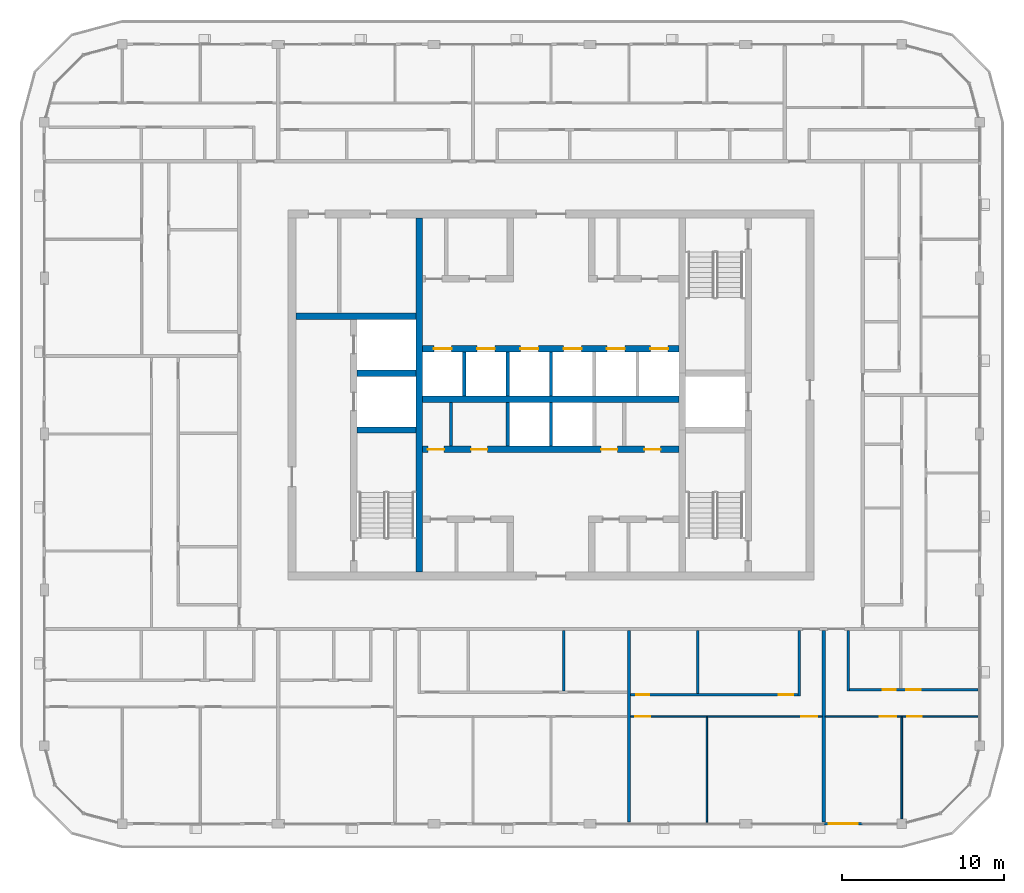
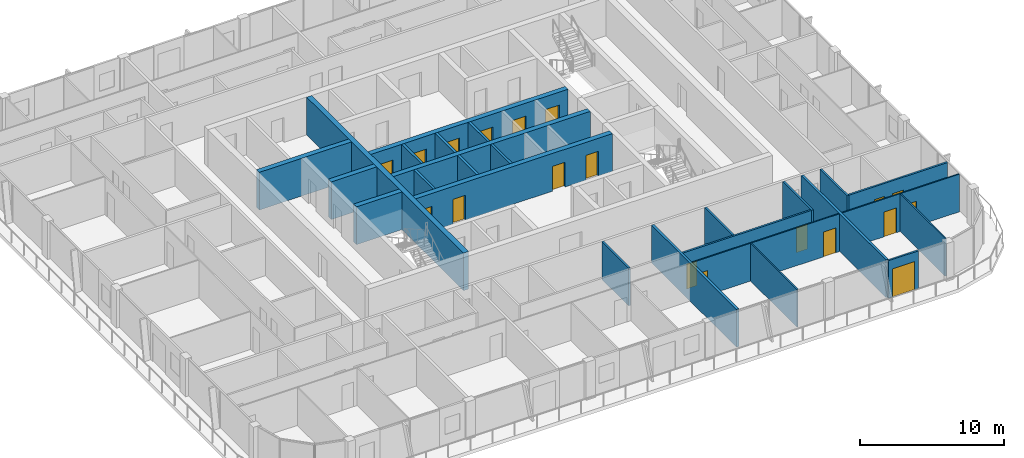
# One storey, part 11 of 22: 26 walls, 19 doors, 19 openings.
"""IFC4 building model written with IfcOpenShell, lengths in metres."""

from ifc_helpers import new_model, si_unit, direction, frame, frame_2d, origin, place, context, subcontext, project, spatial, rectangle, extrude, material, layer, layer_set, type_object, element, fill, save


model = new_model("IFC4")

# Units and contexts
model_context = context("Model", 3, precision=1e-05, world=origin(), true_north=direction((0.0, 1.0)))
body_context = subcontext(model_context, "Body", "Model", "MODEL_VIEW")
ifc_project = project(units=[si_unit("LENGTHUNIT", "METRE"), si_unit("AREAUNIT", "SQUARE_METRE"), si_unit("VOLUMEUNIT", "CUBIC_METRE"), si_unit("PLANEANGLEUNIT", "RADIAN"), si_unit("MASSUNIT", "GRAM", prefix="KILO")], contexts=[model_context])

# Site, building, storey
site_placement = place(None, origin())
site = spatial("IfcSite", under=ifc_project, at=site_placement, CompositionType="ELEMENT")
building_placement = place(site_placement, origin())
building = spatial("IfcBuilding", under=site, at=building_placement, Name="Madar Terraces", CompositionType="ELEMENT")
storey_placement = place(building_placement, frame((0.0, 0.0, 279.10009765625)))
storey = spatial("IfcBuildingStorey", under=building, at=storey_placement, Name="L73", CompositionType="ELEMENT", Elevation=279.10009765625)

# Walls
ifc_material_1 = material(Name="Concrete C50/60", Category="concrete")
ifc_layer_1 = layer(ifc_material_1, 0.39990234375)
ifc_layer_set_1 = layer_set([ifc_layer_1], Name="Concrete C50/60 (CIW6 RC wall 400)")
wall_type_1 = type_object("IfcWallType", Name="CIW6 RC wall 400", PredefinedType="SHEAR", material=ifc_layer_set_1)
wall_1_placement = place(storey_placement, frame((23.10009765625, 15.5, 0.0), z_axis=(0.0, 0.0, 1.0), x_axis=(0.0, 1.0, 0.0)))
element("IfcWall", 1, at=wall_1_placement, inside=storey, type_object=wall_type_1, Name="CORE SHAFT WALL", PredefinedType="SHEAR", context=body_context, shape_type="SweptSolid", body=[
    extrude(rectangle(XDim=21.800048828125, YDim=0.39990234375, at=frame_2d((10.89990234375, 0.0))), origin(), (0.0, 0.0, 1.0), 3.199951171875),
])
for number, where, z_axis, x_axis, name in (
    (2, (19.25, 24.25, 0.0), (0.0, 0.0, 1.0), (1.0, 0.0, 0.0), "CORE SHAFT WALL"),
    (3, (19.25, 27.75, 0.0), (0.0, 0.0, 1.0), (1.0, 0.0, 0.0), "CORE SHAFT WALL"),
):
    element("IfcWall", number, at=place(storey_placement, frame(where, z_axis=z_axis, x_axis=x_axis)), inside=storey, type_object=wall_type_1, Name=name, PredefinedType="SHEAR", context=body_context, shape_type="SweptSolid", body=[
        extrude(rectangle(XDim=3.64990234375, YDim=0.39990234375, at=frame_2d((1.824951171875, 0.0))), origin(), (0.0, 0.0, 1.0), 3.199951171875),
    ])
wall_2_placement = place(storey_placement, frame((15.5, 31.25, 0.0), z_axis=(0.0, 0.0, 1.0), x_axis=(1.0, 0.0, 0.0)))
element("IfcWall", 4, at=wall_2_placement, inside=storey, type_object=wall_type_1, Name="CORE SHAFT WALL", PredefinedType="SHEAR", context=body_context, shape_type="SweptSolid", body=[
    extrude(rectangle(XDim=7.39990234375, YDim=0.39990234375, at=frame_2d((3.699951171875, 0.0))), origin(), (0.0, 0.0, 1.0), 3.199951171875),
])

# Wall, openings, doors
wall_3_placement = place(storey_placement, frame((23.300048828125, 23.050048828125, 0.0), z_axis=(0.0, 0.0, 1.0), x_axis=(1.0, 0.0, 0.0)))
wall_3 = element("IfcWall", 5, at=wall_3_placement, inside=storey, type_object=wall_type_1, Name="CORE SHAFT WALL", PredefinedType="SHEAR", context=body_context, shape_type="SweptSolid", body=[
    extrude(rectangle(XDim=15.800048828125, YDim=0.39990234375, at=frame_2d((7.89990234375, 0.0))), origin(), (0.0, 0.0, 1.0), 3.199951171875),
])
opening_1_placement = place(wall_3_placement, frame((0.32275390625, 0.0, 0.0)))
opening_1 = element("IfcOpeningElement", 6, at=opening_1_placement, cuts=wall_3, Name="Opening KD2", PredefinedType="OPENING", context=body_context, shape_type="SweptSolid", body=[
    extrude(rectangle(XDim=1.0, YDim=2.10009765625, at=frame_2d((0.5, 1.050048828125))), frame((0.0, 0.2099609375, 0.0), z_axis=(0.0, -1.0, 0.0), x_axis=(1.0, 0.0, 0.0)), (0.0, 0.0, 1.0), 0.419921875),
])
opening_2_placement = place(wall_3_placement, frame((2.9892578125, 0.0, 0.0)))
opening_2 = element("IfcOpeningElement", 7, at=opening_2_placement, cuts=wall_3, Name="Opening KD2", PredefinedType="OPENING", context=body_context, shape_type="SweptSolid", body=[
    extrude(rectangle(XDim=1.0, YDim=2.10009765625, at=frame_2d((0.5, 1.050048828125))), frame((0.0, 0.2099609375, 0.0), z_axis=(0.0, -1.0, 0.0), x_axis=(1.0, 0.0, 0.0)), (0.0, 0.0, 1.0), 0.419921875),
])
opening_3_placement = place(wall_3_placement, frame((10.9892578125, 0.0, 0.0)))
opening_3 = element("IfcOpeningElement", 8, at=opening_3_placement, cuts=wall_3, Name="Opening KD2", PredefinedType="OPENING", context=body_context, shape_type="SweptSolid", body=[
    extrude(rectangle(XDim=1.0, YDim=2.10009765625, at=frame_2d((0.5, 1.050048828125))), frame((0.0, 0.2099609375, 0.0), z_axis=(0.0, -1.0, 0.0), x_axis=(1.0, 0.0, 0.0)), (0.0, 0.0, 1.0), 0.419921875),
])
opening_4_placement = place(wall_3_placement, frame((13.656005859375, 0.0, 0.0)))
opening_4 = element("IfcOpeningElement", 9, at=opening_4_placement, cuts=wall_3, Name="Opening KD2", PredefinedType="OPENING", context=body_context, shape_type="SweptSolid", body=[
    extrude(rectangle(XDim=1.0, YDim=2.10009765625, at=frame_2d((0.5, 1.050048828125))), frame((0.0, 0.2099609375, 0.0), z_axis=(0.0, -1.0, 0.0), x_axis=(1.0, 0.0, 0.0)), (0.0, 0.0, 1.0), 0.419921875),
])
ifc_material_2 = material(Name="Steel door leaf", Category="steel")
door_type_1 = type_object("IfcDoorType", Name="Service room door 1000 x 2100", OperationType="NOTDEFINED", PredefinedType="DOOR", material=ifc_material_2)
door_1_placement = place(opening_1_placement, frame((1.0, 0.0, 0.0), z_axis=(0.0, 0.0, 1.0), x_axis=(-1.0, 0.0, 0.0)))
door_1 = element("IfcDoor", 10, at=door_1_placement, inside=storey, type_object=door_type_1, Name="SERVICE ROOM DOOR", OperationType="SINGLE_SWING_RIGHT", OverallHeight=2.10009765625, OverallWidth=1.0, PredefinedType="DOOR", context=body_context, shape_type="SweptSolid", body=[
    extrude(rectangle(XDim=1.0, YDim=2.10009765625, at=frame_2d((0.5, 1.050048828125))), frame((0.0, 0.02490234375, 0.0), z_axis=(0.0, -1.0, 0.0), x_axis=(1.0, 0.0, 0.0)), (0.0, 0.0, 1.0), 0.050048828125),
])
fill(opening_1, door_1)
door_2_placement = place(opening_2_placement, frame((1.0, 0.0, 0.0), z_axis=(0.0, 0.0, 1.0), x_axis=(-1.0, 0.0, 0.0)))
door_2 = element("IfcDoor", 11, at=door_2_placement, inside=storey, type_object=door_type_1, Name="SERVICE ROOM DOOR", OperationType="SINGLE_SWING_LEFT", OverallHeight=2.10009765625, OverallWidth=1.0, PredefinedType="DOOR", context=body_context, shape_type="SweptSolid", body=[
    extrude(rectangle(XDim=1.0, YDim=2.10009765625, at=frame_2d((0.5, 1.050048828125))), frame((0.0, 0.02490234375, 0.0), z_axis=(0.0, -1.0, 0.0), x_axis=(1.0, 0.0, 0.0)), (0.0, 0.0, 1.0), 0.050048828125),
])
fill(opening_2, door_2)
door_3_placement = place(opening_3_placement, frame((1.0, 0.0, 0.0), z_axis=(0.0, 0.0, 1.0), x_axis=(-1.0, 0.0, 0.0)))
door_3 = element("IfcDoor", 12, at=door_3_placement, inside=storey, type_object=door_type_1, Name="SERVICE ROOM DOOR", OperationType="SINGLE_SWING_RIGHT", OverallHeight=2.10009765625, OverallWidth=1.0, PredefinedType="DOOR", context=body_context, shape_type="SweptSolid", body=[
    extrude(rectangle(XDim=1.0, YDim=2.10009765625, at=frame_2d((0.5, 1.050048828125))), frame((0.0, 0.02490234375, 0.0), z_axis=(0.0, -1.0, 0.0), x_axis=(1.0, 0.0, 0.0)), (0.0, 0.0, 1.0), 0.050048828125),
])
fill(opening_3, door_3)
door_4_placement = place(opening_4_placement, frame((1.0, 0.0, 0.0), z_axis=(0.0, 0.0, 1.0), x_axis=(-1.0, 0.0, 0.0)))
door_4 = element("IfcDoor", 13, at=door_4_placement, inside=storey, type_object=door_type_1, Name="SERVICE ROOM DOOR", OperationType="SINGLE_SWING_LEFT", OverallHeight=2.10009765625, OverallWidth=1.0, PredefinedType="DOOR", context=body_context, shape_type="SweptSolid", body=[
    extrude(rectangle(XDim=1.0, YDim=2.10009765625, at=frame_2d((0.5, 1.050048828125))), frame((0.0, 0.02490234375, 0.0), z_axis=(0.0, -1.0, 0.0), x_axis=(1.0, 0.0, 0.0)), (0.0, 0.0, 1.0), 0.050048828125),
])
fill(opening_4, door_4)

# Wall
wall_4_placement = place(storey_placement, frame((23.300048828125, 26.14990234375, 0.0), z_axis=(0.0, 0.0, 1.0), x_axis=(1.0, 0.0, 0.0)))
element("IfcWall", 14, at=wall_4_placement, inside=storey, type_object=wall_type_1, Name="CORE SHAFT WALL", PredefinedType="SHEAR", context=body_context, shape_type="SweptSolid", body=[
    extrude(rectangle(XDim=15.800048828125, YDim=0.39990234375, at=frame_2d((7.89990234375, 0.0))), origin(), (0.0, 0.0, 1.0), 3.199951171875),
])

# Wall, openings, doors
wall_5_placement = place(storey_placement, frame((23.300048828125, 29.25, 0.0), z_axis=(0.0, 0.0, 1.0), x_axis=(1.0, 0.0, 0.0)))
wall_5 = element("IfcWall", 15, at=wall_5_placement, inside=storey, type_object=wall_type_1, Name="CORE SHAFT WALL", PredefinedType="SHEAR", context=body_context, shape_type="SweptSolid", body=[
    extrude(rectangle(XDim=15.800048828125, YDim=0.39990234375, at=frame_2d((7.89990234375, 0.0))), origin(), (0.0, 0.0, 1.0), 3.199951171875),
])
opening_5_placement = place(wall_5_placement, frame((0.683349609375, 0.0, 0.0)))
opening_5 = element("IfcOpeningElement", 16, at=opening_5_placement, cuts=wall_5, Name="Opening LD", PredefinedType="OPENING", context=body_context, shape_type="SweptSolid", body=[
    extrude(rectangle(XDim=1.10009765625, YDim=2.10009765625, at=frame_2d((0.550048828125, 1.050048828125))), frame((0.0, 0.2099609375, 0.0), z_axis=(0.0, -1.0, 0.0), x_axis=(1.0, 0.0, 0.0)), (0.0, 0.0, 1.0), 0.419921875),
])
opening_6_placement = place(wall_5_placement, frame((3.35009765625, 0.0, 0.0)))
opening_6 = element("IfcOpeningElement", 17, at=opening_6_placement, cuts=wall_5, Name="Opening LD", PredefinedType="OPENING", context=body_context, shape_type="SweptSolid", body=[
    extrude(rectangle(XDim=1.10009765625, YDim=2.10009765625, at=frame_2d((0.550048828125, 1.050048828125))), frame((0.0, 0.2099609375, 0.0), z_axis=(0.0, -1.0, 0.0), x_axis=(1.0, 0.0, 0.0)), (0.0, 0.0, 1.0), 0.419921875),
])
opening_7_placement = place(wall_5_placement, frame((6.0166015625, 0.0, 0.0)))
opening_7 = element("IfcOpeningElement", 18, at=opening_7_placement, cuts=wall_5, Name="Opening LD", PredefinedType="OPENING", context=body_context, shape_type="SweptSolid", body=[
    extrude(rectangle(XDim=1.10009765625, YDim=2.10009765625, at=frame_2d((0.550048828125, 1.050048828125))), frame((0.0, 0.2099609375, 0.0), z_axis=(0.0, -1.0, 0.0), x_axis=(1.0, 0.0, 0.0)), (0.0, 0.0, 1.0), 0.419921875),
])
opening_8_placement = place(wall_5_placement, frame((8.683349609375, 0.0, 0.0)))
opening_8 = element("IfcOpeningElement", 19, at=opening_8_placement, cuts=wall_5, Name="Opening LD", PredefinedType="OPENING", context=body_context, shape_type="SweptSolid", body=[
    extrude(rectangle(XDim=1.10009765625, YDim=2.10009765625, at=frame_2d((0.550048828125, 1.050048828125))), frame((0.0, 0.2099609375, 0.0), z_axis=(0.0, -1.0, 0.0), x_axis=(1.0, 0.0, 0.0)), (0.0, 0.0, 1.0), 0.419921875),
])
opening_9_placement = place(wall_5_placement, frame((11.35009765625, 0.0, 0.0)))
opening_9 = element("IfcOpeningElement", 20, at=opening_9_placement, cuts=wall_5, Name="Opening LD", PredefinedType="OPENING", context=body_context, shape_type="SweptSolid", body=[
    extrude(rectangle(XDim=1.10009765625, YDim=2.10009765625, at=frame_2d((0.550048828125, 1.050048828125))), frame((0.0, 0.2099609375, 0.0), z_axis=(0.0, -1.0, 0.0), x_axis=(1.0, 0.0, 0.0)), (0.0, 0.0, 1.0), 0.419921875),
])
opening_10_placement = place(wall_5_placement, frame((14.0166015625, 0.0, 0.0)))
opening_10 = element("IfcOpeningElement", 21, at=opening_10_placement, cuts=wall_5, Name="Opening LD", PredefinedType="OPENING", context=body_context, shape_type="SweptSolid", body=[
    extrude(rectangle(XDim=1.10009765625, YDim=2.10009765625, at=frame_2d((0.550048828125, 1.050048828125))), frame((0.0, 0.2099609375, 0.0), z_axis=(0.0, -1.0, 0.0), x_axis=(1.0, 0.0, 0.0)), (0.0, 0.0, 1.0), 0.419921875),
])
ifc_material_3 = material(Name="Stainless steel panel", Category="steel")
door_type_2 = type_object("IfcDoorType", Name="Lift landing door 1100 x 2100", OperationType="DOUBLE_DOOR_SLIDING", PredefinedType="DOOR", material=ifc_material_3)
door_5_placement = place(opening_5_placement, origin())
door_5 = element("IfcDoor", 22, at=door_5_placement, inside=storey, type_object=door_type_2, Name="LIFT LANDING DOOR", OperationType="DOUBLE_DOOR_SLIDING", OverallHeight=2.10009765625, OverallWidth=1.10009765625, PredefinedType="DOOR", context=body_context, shape_type="SweptSolid", body=[
    extrude(rectangle(XDim=1.10009765625, YDim=2.10009765625, at=frame_2d((0.550048828125, 1.050048828125))), frame((0.0, 0.02490234375, 0.0), z_axis=(0.0, -1.0, 0.0), x_axis=(1.0, 0.0, 0.0)), (0.0, 0.0, 1.0), 0.050048828125),
])
fill(opening_5, door_5)
door_6_placement = place(opening_6_placement, origin())
door_6 = element("IfcDoor", 23, at=door_6_placement, inside=storey, type_object=door_type_2, Name="LIFT LANDING DOOR", OperationType="DOUBLE_DOOR_SLIDING", OverallHeight=2.10009765625, OverallWidth=1.10009765625, PredefinedType="DOOR", context=body_context, shape_type="SweptSolid", body=[
    extrude(rectangle(XDim=1.10009765625, YDim=2.10009765625, at=frame_2d((0.550048828125, 1.050048828125))), frame((0.0, 0.02490234375, 0.0), z_axis=(0.0, -1.0, 0.0), x_axis=(1.0, 0.0, 0.0)), (0.0, 0.0, 1.0), 0.050048828125),
])
fill(opening_6, door_6)
door_7_placement = place(opening_7_placement, origin())
door_7 = element("IfcDoor", 24, at=door_7_placement, inside=storey, type_object=door_type_2, Name="LIFT LANDING DOOR", OperationType="DOUBLE_DOOR_SLIDING", OverallHeight=2.10009765625, OverallWidth=1.10009765625, PredefinedType="DOOR", context=body_context, shape_type="SweptSolid", body=[
    extrude(rectangle(XDim=1.10009765625, YDim=2.10009765625, at=frame_2d((0.550048828125, 1.050048828125))), frame((0.0, 0.02490234375, 0.0), z_axis=(0.0, -1.0, 0.0), x_axis=(1.0, 0.0, 0.0)), (0.0, 0.0, 1.0), 0.050048828125),
])
fill(opening_7, door_7)
door_8_placement = place(opening_8_placement, origin())
door_8 = element("IfcDoor", 25, at=door_8_placement, inside=storey, type_object=door_type_2, Name="LIFT LANDING DOOR", OperationType="DOUBLE_DOOR_SLIDING", OverallHeight=2.10009765625, OverallWidth=1.10009765625, PredefinedType="DOOR", context=body_context, shape_type="SweptSolid", body=[
    extrude(rectangle(XDim=1.10009765625, YDim=2.10009765625, at=frame_2d((0.550048828125, 1.050048828125))), frame((0.0, 0.02490234375, 0.0), z_axis=(0.0, -1.0, 0.0), x_axis=(1.0, 0.0, 0.0)), (0.0, 0.0, 1.0), 0.050048828125),
])
fill(opening_8, door_8)
door_9_placement = place(opening_9_placement, origin())
door_9 = element("IfcDoor", 26, at=door_9_placement, inside=storey, type_object=door_type_2, Name="LIFT LANDING DOOR", OperationType="DOUBLE_DOOR_SLIDING", OverallHeight=2.10009765625, OverallWidth=1.10009765625, PredefinedType="DOOR", context=body_context, shape_type="SweptSolid", body=[
    extrude(rectangle(XDim=1.10009765625, YDim=2.10009765625, at=frame_2d((0.550048828125, 1.050048828125))), frame((0.0, 0.02490234375, 0.0), z_axis=(0.0, -1.0, 0.0), x_axis=(1.0, 0.0, 0.0)), (0.0, 0.0, 1.0), 0.050048828125),
])
fill(opening_9, door_9)
door_10_placement = place(opening_10_placement, origin())
door_10 = element("IfcDoor", 27, at=door_10_placement, inside=storey, type_object=door_type_2, Name="LIFT LANDING DOOR", OperationType="DOUBLE_DOOR_SLIDING", OverallHeight=2.10009765625, OverallWidth=1.10009765625, PredefinedType="DOOR", context=body_context, shape_type="SweptSolid", body=[
    extrude(rectangle(XDim=1.10009765625, YDim=2.10009765625, at=frame_2d((0.550048828125, 1.050048828125))), frame((0.0, 0.02490234375, 0.0), z_axis=(0.0, -1.0, 0.0), x_axis=(1.0, 0.0, 0.0)), (0.0, 0.0, 1.0), 0.050048828125),
])
fill(opening_10, door_10)

# Walls
ifc_material_4 = material(Name="Masonry blockwork", Category="masonry")
ifc_layer_2 = layer(ifc_material_4, 0.199951171875)
ifc_layer_set_2 = layer_set([ifc_layer_2], Name="Core partition 200 blockwork")
wall_type_2 = type_object("IfcWallType", Name="Core partition 200 blockwork", PredefinedType="PARTITIONING", material=ifc_layer_set_2)
wall_6_placement = place(storey_placement, frame((25.04541015625, 23.25, 0.0), z_axis=(0.0, 0.0, 1.0), x_axis=(0.0, 1.0, 0.0)))
element("IfcWall", 28, at=wall_6_placement, inside=storey, type_object=wall_type_2, Name="SERVICE ROOM PARTITION", PredefinedType="PARTITIONING", context=body_context, shape_type="SweptSolid", body=[
    extrude(rectangle(XDim=2.699951171875, YDim=0.199951171875, at=frame_2d((1.35009765625, 0.0))), origin(), (0.0, 0.0, 1.0), 3.199951171875),
])
ifc_material_5 = material(Name="Concrete C40/50", Category="concrete")
ifc_layer_3 = layer(ifc_material_5, 0.199951171875)
ifc_layer_set_3 = layer_set([ifc_layer_3], Name="Core shaft dividing wall 200 C40/50")
wall_type_3 = type_object("IfcWallType", Name="Core shaft dividing wall 200 C40/50", PredefinedType="SOLIDWALL", material=ifc_layer_set_3)
for number, where, z_axis, x_axis, name in (
    (29, (25.86669921875, 26.35009765625, 0.0), (0.0, 0.0, 1.0), (0.0, 1.0, 0.0), "SHAFT DIVIDING WALL"),
    (30, (28.533447265625, 23.25, 0.0), (0.0, 0.0, 1.0), (0.0, 1.0, 0.0), "SHAFT DIVIDING WALL"),
    (31, (28.533447265625, 26.35009765625, 0.0), (0.0, 0.0, 1.0), (0.0, 1.0, 0.0), "SHAFT DIVIDING WALL"),
    (32, (31.199951171875, 23.25, 0.0), (0.0, 0.0, 1.0), (0.0, 1.0, 0.0), "SHAFT DIVIDING WALL"),
    (33, (31.199951171875, 26.35009765625, 0.0), (0.0, 0.0, 1.0), (0.0, 1.0, 0.0), "SHAFT DIVIDING WALL"),
):
    element("IfcWall", number, at=place(storey_placement, frame(where, z_axis=z_axis, x_axis=x_axis)), inside=storey, type_object=wall_type_3, Name=name, PredefinedType="SOLIDWALL", context=body_context, shape_type="SweptSolid", body=[
        extrude(rectangle(XDim=2.699951171875, YDim=0.199951171875, at=frame_2d((1.35009765625, 0.0))), origin(), (0.0, 0.0, 1.0), 3.199951171875),
    ])

# Wall, opening, door
ifc_material_6 = material(Name="Aluminium composite panel, black, over insulated backing", Category="aluminium")
ifc_layer_4 = layer(ifc_material_6, 0.14990234375)
ifc_layer_set_4 = layer_set([ifc_layer_4], Name="Facade bay panel 150")
wall_type_4 = type_object("IfcWallType", Name="Facade bay panel 150", PredefinedType="SOLIDWALL", material=ifc_layer_set_4)
wall_7_placement = place(storey_placement, frame((48.0, 0.0, 0.0), z_axis=(0.0, 0.0, 1.0), x_axis=(1.0, 0.0, 0.0)))
wall_7 = element("IfcWall", 34, at=wall_7_placement, inside=storey, type_object=wall_type_4, Name="Facade bay panel", PredefinedType="SOLIDWALL", context=body_context, shape_type="SweptSolid", body=[
    extrude(rectangle(XDim=2.39990234375, YDim=0.14990234375, at=frame_2d((1.199951171875, 0.0))), origin(), (0.0, 0.0, 1.0), 3.199951171875),
])
opening_11_placement = place(wall_7_placement, frame((0.300048828125, 0.0, 0.0)))
opening_11 = element("IfcOpeningElement", 35, at=opening_11_placement, cuts=wall_7, Name="Opening ED1", PredefinedType="OPENING", context=body_context, shape_type="SweptSolid", body=[
    extrude(rectangle(XDim=1.800048828125, YDim=2.39990234375, at=frame_2d((0.89990234375, 1.199951171875))), frame((0.0, 0.0849609375, 0.0), z_axis=(0.0, -1.0, 0.0), x_axis=(1.0, 0.0, 0.0)), (0.0, 0.0, 1.0), 0.169921875),
])
ifc_material_7 = material(Name="Glass, clear, with black aluminium frame", Category="aluminium")
door_type_3 = type_object("IfcDoorType", Name="Balcony and terrace sliding door 1800 x 2400", OperationType="SLIDING_TO_LEFT", PredefinedType="DOOR", material=ifc_material_7)
door_11_placement = place(opening_11_placement, origin())
door_11 = element("IfcDoor", 36, at=door_11_placement, inside=storey, type_object=door_type_3, Name="Balcony door", OperationType="SLIDING_TO_LEFT", OverallHeight=2.39990234375, OverallWidth=1.800048828125, PredefinedType="DOOR", context=body_context, shape_type="SweptSolid", body=[
    extrude(rectangle(XDim=1.800048828125, YDim=2.39990234375, at=frame_2d((0.89990234375, 1.199951171875))), frame((0.0, 0.02490234375, 0.0), z_axis=(0.0, -1.0, 0.0), x_axis=(1.0, 0.0, 0.0)), (0.0, 0.0, 1.0), 0.050048828125),
])
fill(opening_11, door_11)

# Wall
ifc_material_8 = material(Name="Gypsum board on steel studs", Category="steel")
ifc_layer_5 = layer(ifc_material_8, 0.10009765625)
ifc_layer_set_5 = layer_set([ifc_layer_5], Name="Flat partition 100")
wall_type_5 = type_object("IfcWallType", Name="Flat partition 100", PredefinedType="PARTITIONING", material=ifc_layer_set_5)
wall_8_placement = place(storey_placement, frame((40.800048828125, 6.550048828125, 0.0), z_axis=(0.0, 0.0, 1.0), x_axis=(0.0, -1.0, 0.0)))
element("IfcWall", 37, at=wall_8_placement, inside=storey, type_object=wall_type_5, Name="Flat partition 100", PredefinedType="PARTITIONING", context=body_context, shape_type="SweptSolid", body=[
    extrude(rectangle(XDim=6.449951171875, YDim=0.10009765625, at=frame_2d((3.22509765625, 0.0))), origin(), (0.0, 0.0, 1.0), 3.199951171875),
])

# Wall, openings, doors
wall_9_placement = place(storey_placement, frame((47.89990234375, 6.60009765625, 0.0), z_axis=(0.0, 0.0, 1.0), x_axis=(-1.0, 0.0, 0.0)))
wall_9 = element("IfcWall", 38, at=wall_9_placement, inside=storey, type_object=wall_type_5, Name="Flat partition 100", PredefinedType="PARTITIONING", context=body_context, shape_type="SweptSolid", body=[
    extrude(rectangle(XDim=11.7998046875, YDim=0.10009765625, at=frame_2d((5.89990234375, 0.0))), origin(), (0.0, 0.0, 1.0), 3.199951171875),
])
opening_12_placement = place(wall_9_placement, frame((0.300048828125, 0.0, 0.0)))
opening_12 = element("IfcOpeningElement", 39, at=opening_12_placement, cuts=wall_9, Name="Opening D3", PredefinedType="OPENING", context=body_context, shape_type="SweptSolid", body=[
    extrude(rectangle(XDim=1.0, YDim=2.10009765625, at=frame_2d((0.5, 1.050048828125))), frame((0.0, 0.06005859375, 0.0), z_axis=(0.0, -1.0, 0.0), x_axis=(1.0, 0.0, 0.0)), (0.0, 0.0, 1.0), 0.1201171875),
])
opening_13_placement = place(wall_9_placement, frame((10.60009765625, 0.0, 0.0)))
opening_13 = element("IfcOpeningElement", 40, at=opening_13_placement, cuts=wall_9, Name="Opening D2", PredefinedType="OPENING", context=body_context, shape_type="SweptSolid", body=[
    extrude(rectangle(XDim=0.89990234375, YDim=2.10009765625, at=frame_2d((0.449951171875, 1.050048828125))), frame((0.0, 0.06005859375, 0.0), z_axis=(0.0, -1.0, 0.0), x_axis=(1.0, 0.0, 0.0)), (0.0, 0.0, 1.0), 0.1201171875),
])
ifc_material_9 = material(Name="Timber door leaf", Category="wood")
door_type_4 = type_object("IfcDoorType", Name="Flat living room door 1000", OperationType="NOTDEFINED", PredefinedType="DOOR", material=ifc_material_9)
door_12_placement = place(opening_12_placement, origin())
door_12 = element("IfcDoor", 41, at=door_12_placement, inside=storey, type_object=door_type_4, Name="Flat living room door 1000", OperationType="SINGLE_SWING_LEFT", OverallHeight=2.10009765625, OverallWidth=1.0, PredefinedType="DOOR", context=body_context, shape_type="SweptSolid", body=[
    extrude(rectangle(XDim=1.0, YDim=2.10009765625, at=frame_2d((0.5, 1.050048828125))), frame((0.0, 0.02490234375, 0.0), z_axis=(0.0, -1.0, 0.0), x_axis=(1.0, 0.0, 0.0)), (0.0, 0.0, 1.0), 0.050048828125),
])
fill(opening_12, door_12)
ifc_material_10 = material(Name="Timber door leaf", Category="wood")
door_type_5 = type_object("IfcDoorType", Name="Flat room door 900", OperationType="NOTDEFINED", PredefinedType="DOOR", material=ifc_material_10)
door_13_placement = place(opening_13_placement, origin())
door_13 = element("IfcDoor", 42, at=door_13_placement, inside=storey, type_object=door_type_5, Name="Flat room door 900", OperationType="SINGLE_SWING_RIGHT", OverallHeight=2.10009765625, OverallWidth=0.89990234375, PredefinedType="DOOR", context=body_context, shape_type="SweptSolid", body=[
    extrude(rectangle(XDim=0.89990234375, YDim=2.10009765625, at=frame_2d((0.449951171875, 1.050048828125))), frame((0.0, 0.02490234375, 0.0), z_axis=(0.0, -1.0, 0.0), x_axis=(1.0, 0.0, 0.0)), (0.0, 0.0, 1.0), 0.050048828125),
])
fill(opening_13, door_13)

# Wall
wall_10_placement = place(storey_placement, frame((52.800048828125, 6.550048828125, 0.0), z_axis=(0.0, 0.0, 1.0), x_axis=(0.0, -1.0, 0.0)))
element("IfcWall", 43, at=wall_10_placement, inside=storey, type_object=wall_type_5, Name="Flat partition 100", PredefinedType="PARTITIONING", context=body_context, shape_type="SweptSolid", body=[
    extrude(rectangle(XDim=6.25, YDim=0.10009765625, at=frame_2d((3.125, 0.0))), origin(), (0.0, 0.0, 1.0), 3.199951171875),
])

# Wall, openings, doors
wall_11_placement = place(storey_placement, frame((57.5, 6.60009765625, 0.0), z_axis=(0.0, 0.0, 1.0), x_axis=(-1.0, 0.0, 0.0)))
wall_11 = element("IfcWall", 44, at=wall_11_placement, inside=storey, type_object=wall_type_5, Name="Flat partition 100", PredefinedType="PARTITIONING", context=body_context, shape_type="SweptSolid", body=[
    extrude(rectangle(XDim=9.39990234375, YDim=0.10009765625, at=frame_2d((4.699951171875, 0.0))), origin(), (0.0, 0.0, 1.0), 3.199951171875),
])
opening_14_placement = place(wall_11_placement, frame((5.050048828125, 0.0, 0.0)))
opening_14 = element("IfcOpeningElement", 45, at=opening_14_placement, cuts=wall_11, Name="Opening D3", PredefinedType="OPENING", context=body_context, shape_type="SweptSolid", body=[
    extrude(rectangle(XDim=1.0, YDim=2.10009765625, at=frame_2d((0.5, 1.050048828125))), frame((0.0, 0.06005859375, 0.0), z_axis=(0.0, -1.0, 0.0), x_axis=(1.0, 0.0, 0.0)), (0.0, 0.0, 1.0), 0.1201171875),
])
opening_15_placement = place(wall_11_placement, frame((3.449951171875, 0.0, 0.0)))
opening_15 = element("IfcOpeningElement", 46, at=opening_15_placement, cuts=wall_11, Name="Opening D2", PredefinedType="OPENING", context=body_context, shape_type="SweptSolid", body=[
    extrude(rectangle(XDim=0.89990234375, YDim=2.10009765625, at=frame_2d((0.449951171875, 1.050048828125))), frame((0.0, 0.06005859375, 0.0), z_axis=(0.0, -1.0, 0.0), x_axis=(1.0, 0.0, 0.0)), (0.0, 0.0, 1.0), 0.1201171875),
])
door_14_placement = place(opening_14_placement, origin())
door_14 = element("IfcDoor", 47, at=door_14_placement, inside=storey, type_object=door_type_4, Name="Flat living room door 1000", OperationType="SINGLE_SWING_LEFT", OverallHeight=2.10009765625, OverallWidth=1.0, PredefinedType="DOOR", context=body_context, shape_type="SweptSolid", body=[
    extrude(rectangle(XDim=1.0, YDim=2.10009765625, at=frame_2d((0.5, 1.050048828125))), frame((0.0, 0.02490234375, 0.0), z_axis=(0.0, -1.0, 0.0), x_axis=(1.0, 0.0, 0.0)), (0.0, 0.0, 1.0), 0.050048828125),
])
fill(opening_14, door_14)
door_15_placement = place(opening_15_placement, origin())
door_15 = element("IfcDoor", 48, at=door_15_placement, inside=storey, type_object=door_type_5, Name="Flat room door 900", OperationType="SINGLE_SWING_RIGHT", OverallHeight=2.10009765625, OverallWidth=0.89990234375, PredefinedType="DOOR", context=body_context, shape_type="SweptSolid", body=[
    extrude(rectangle(XDim=0.89990234375, YDim=2.10009765625, at=frame_2d((0.449951171875, 1.050048828125))), frame((0.0, 0.02490234375, 0.0), z_axis=(0.0, -1.0, 0.0), x_axis=(1.0, 0.0, 0.0)), (0.0, 0.0, 1.0), 0.050048828125),
])
fill(opening_15, door_15)

# Walls
ifc_material_11 = material(Name="Lightweight blockwork", Category="masonry")
ifc_layer_6 = layer(ifc_material_11, 0.199951171875)
ifc_layer_set_6 = layer_set([ifc_layer_6], Name="Flat party and entrance wall 200")
wall_type_6 = type_object("IfcWallType", Name="Flat party and entrance wall 200", PredefinedType="PARTITIONING", material=ifc_layer_set_6)
for number, where, z_axis, x_axis, name in (
    (49, (36.0, 11.89990234375, 0.0), (0.0, 0.0, 1.0), (0.0, -1.0, 0.0), "Flat party and entrance wall 200"),
    (50, (48.0, 11.89990234375, 0.0), (0.0, 0.0, 1.0), (0.0, -1.0, 0.0), "Flat party and entrance wall 200"),
):
    element("IfcWall", number, at=place(storey_placement, frame(where, z_axis=z_axis, x_axis=x_axis)), inside=storey, type_object=wall_type_6, Name=name, PredefinedType="PARTITIONING", context=body_context, shape_type="SweptSolid", body=[
        extrude(rectangle(XDim=11.7998046875, YDim=0.199951171875, at=frame_2d((5.89990234375, 0.0))), origin(), (0.0, 0.0, 1.0), 3.199951171875),
    ])
ifc_material_12 = material(Name="Lightweight blockwork", Category="masonry")
ifc_layer_7 = layer(ifc_material_12, 0.14990234375)
ifc_layer_set_7 = layer_set([ifc_layer_7], Name="Flat wet-room partition 150")
wall_type_7 = type_object("IfcWallType", Name="Flat wet-room partition 150", PredefinedType="PARTITIONING", material=ifc_layer_set_7)
wall_12_placement = place(storey_placement, frame((31.984619140625, 11.89990234375, 0.0), z_axis=(0.0, 0.0, 1.0), x_axis=(0.0, -1.0, 0.0)))
element("IfcWall", 51, at=wall_12_placement, inside=storey, type_object=wall_type_7, Name="Flat wet-room partition 150", PredefinedType="PARTITIONING", context=body_context, shape_type="SweptSolid", body=[
    extrude(rectangle(XDim=3.724853515625, YDim=0.14990234375, at=frame_2d((1.8623046875, 0.0))), origin(), (0.0, 0.0, 1.0), 3.199951171875),
])
wall_13_placement = place(storey_placement, frame((40.22998046875, 11.89990234375, 0.0), z_axis=(0.0, 0.0, 1.0), x_axis=(0.0, -1.0, 0.0)))
element("IfcWall", 52, at=wall_13_placement, inside=storey, type_object=wall_type_7, Name="Flat wet-room partition 150", PredefinedType="PARTITIONING", context=body_context, shape_type="SweptSolid", body=[
    extrude(rectangle(XDim=3.875, YDim=0.14990234375, at=frame_2d((1.9375, 0.0))), origin(), (0.0, 0.0, 1.0), 3.199951171875),
])
wall_14_placement = place(storey_placement, frame((46.5, 11.89990234375, 0.0), z_axis=(0.0, 0.0, 1.0), x_axis=(0.0, -1.0, 0.0)))
element("IfcWall", 53, at=wall_14_placement, inside=storey, type_object=wall_type_7, Name="Flat wet-room partition 150", PredefinedType="PARTITIONING", context=body_context, shape_type="SweptSolid", body=[
    extrude(rectangle(XDim=4.02490234375, YDim=0.14990234375, at=frame_2d((2.012451171875, 0.0))), origin(), (0.0, 0.0, 1.0), 3.199951171875),
])

# Wall, openings, doors
wall_15_placement = place(storey_placement, frame((36.10009765625, 7.949951171875, 0.0), z_axis=(0.0, 0.0, 1.0), x_axis=(1.0, 0.0, 0.0)))
wall_15 = element("IfcWall", 54, at=wall_15_placement, inside=storey, type_object=wall_type_7, Name="Flat wet-room partition 150", PredefinedType="PARTITIONING", context=body_context, shape_type="SweptSolid", body=[
    extrude(rectangle(XDim=10.324951171875, YDim=0.14990234375, at=frame_2d((5.16259765625, 0.0))), origin(), (0.0, 0.0, 1.0), 3.199951171875),
])
opening_16_placement = place(wall_15_placement, frame((9.125, 0.0, 0.0)))
opening_16 = element("IfcOpeningElement", 55, at=opening_16_placement, cuts=wall_15, Name="Opening D2", PredefinedType="OPENING", context=body_context, shape_type="SweptSolid", body=[
    extrude(rectangle(XDim=0.89990234375, YDim=2.10009765625, at=frame_2d((0.449951171875, 1.050048828125))), frame((0.0, 0.0849609375, 0.0), z_axis=(0.0, -1.0, 0.0), x_axis=(1.0, 0.0, 0.0)), (0.0, 0.0, 1.0), 0.169921875),
])
opening_17_placement = place(wall_15_placement, frame((0.35009765625, 0.0, 0.0)))
opening_17 = element("IfcOpeningElement", 56, at=opening_17_placement, cuts=wall_15, Name="Opening D4", PredefinedType="OPENING", context=body_context, shape_type="SweptSolid", body=[
    extrude(rectangle(XDim=0.800048828125, YDim=2.10009765625, at=frame_2d((0.39990234375, 1.050048828125))), frame((0.0, 0.0849609375, 0.0), z_axis=(0.0, -1.0, 0.0), x_axis=(1.0, 0.0, 0.0)), (0.0, 0.0, 1.0), 0.169921875),
])
ifc_material_13 = material(Name="Timber door leaf", Category="wood")
door_type_6 = type_object("IfcDoorType", Name="Flat bathroom door 800", OperationType="NOTDEFINED", PredefinedType="DOOR", material=ifc_material_13)
door_16_placement = place(opening_17_placement, origin())
door_16 = element("IfcDoor", 57, at=door_16_placement, inside=storey, type_object=door_type_6, Name="Flat bathroom door 800", OperationType="SINGLE_SWING_LEFT", OverallHeight=2.10009765625, OverallWidth=0.800048828125, PredefinedType="DOOR", context=body_context, shape_type="SweptSolid", body=[
    extrude(rectangle(XDim=0.800048828125, YDim=2.10009765625, at=frame_2d((0.39990234375, 1.050048828125))), frame((0.0, 0.02490234375, 0.0), z_axis=(0.0, -1.0, 0.0), x_axis=(1.0, 0.0, 0.0)), (0.0, 0.0, 1.0), 0.050048828125),
])
fill(opening_17, door_16)
door_17_placement = place(opening_16_placement, origin())
door_17 = element("IfcDoor", 58, at=door_17_placement, inside=storey, type_object=door_type_5, Name="Flat room door 900", OperationType="SINGLE_SWING_RIGHT", OverallHeight=2.10009765625, OverallWidth=0.89990234375, PredefinedType="DOOR", context=body_context, shape_type="SweptSolid", body=[
    extrude(rectangle(XDim=0.89990234375, YDim=2.10009765625, at=frame_2d((0.449951171875, 1.050048828125))), frame((0.0, 0.02490234375, 0.0), z_axis=(0.0, -1.0, 0.0), x_axis=(1.0, 0.0, 0.0)), (0.0, 0.0, 1.0), 0.050048828125),
])
fill(opening_16, door_17)

# Wall
wall_16_placement = place(storey_placement, frame((49.5, 11.89990234375, 0.0), z_axis=(0.0, 0.0, 1.0), x_axis=(0.0, -1.0, 0.0)))
element("IfcWall", 59, at=wall_16_placement, inside=storey, type_object=wall_type_7, Name="Flat wet-room partition 150", PredefinedType="PARTITIONING", context=body_context, shape_type="SweptSolid", body=[
    extrude(rectangle(XDim=3.724853515625, YDim=0.14990234375, at=frame_2d((1.8623046875, 0.0))), origin(), (0.0, 0.0, 1.0), 3.199951171875),
])

# Wall, openings, doors
wall_17_placement = place(storey_placement, frame((49.574951171875, 8.25, 0.0), z_axis=(0.0, 0.0, 1.0), x_axis=(1.0, 0.0, 0.0)))
wall_17 = element("IfcWall", 60, at=wall_17_placement, inside=storey, type_object=wall_type_7, Name="Flat wet-room partition 150", PredefinedType="PARTITIONING", context=body_context, shape_type="SweptSolid", body=[
    extrude(rectangle(XDim=7.925048828125, YDim=0.14990234375, at=frame_2d((3.96240234375, 0.0))), origin(), (0.0, 0.0, 1.0), 3.199951171875),
])
opening_18_placement = place(wall_17_placement, frame((2.044921875, 0.0, 0.0)))
opening_18 = element("IfcOpeningElement", 61, at=opening_18_placement, cuts=wall_17, Name="Opening D4", PredefinedType="OPENING", context=body_context, shape_type="SweptSolid", body=[
    extrude(rectangle(XDim=0.800048828125, YDim=2.10009765625, at=frame_2d((0.39990234375, 1.050048828125))), frame((0.0, 0.0849609375, 0.0), z_axis=(0.0, -1.0, 0.0), x_axis=(1.0, 0.0, 0.0)), (0.0, 0.0, 1.0), 0.169921875),
])
opening_19_placement = place(wall_17_placement, frame((3.4951171875, 0.0, 0.0)))
opening_19 = element("IfcOpeningElement", 62, at=opening_19_placement, cuts=wall_17, Name="Opening D2", PredefinedType="OPENING", context=body_context, shape_type="SweptSolid", body=[
    extrude(rectangle(XDim=0.89990234375, YDim=2.10009765625, at=frame_2d((0.449951171875, 1.050048828125))), frame((0.0, 0.0849609375, 0.0), z_axis=(0.0, -1.0, 0.0), x_axis=(1.0, 0.0, 0.0)), (0.0, 0.0, 1.0), 0.169921875),
])
door_18_placement = place(opening_18_placement, origin())
door_18 = element("IfcDoor", 63, at=door_18_placement, inside=storey, type_object=door_type_6, Name="Flat bathroom door 800", OperationType="SINGLE_SWING_RIGHT", OverallHeight=2.10009765625, OverallWidth=0.800048828125, PredefinedType="DOOR", context=body_context, shape_type="SweptSolid", body=[
    extrude(rectangle(XDim=0.800048828125, YDim=2.10009765625, at=frame_2d((0.39990234375, 1.050048828125))), frame((0.0, 0.02490234375, 0.0), z_axis=(0.0, -1.0, 0.0), x_axis=(1.0, 0.0, 0.0)), (0.0, 0.0, 1.0), 0.050048828125),
])
fill(opening_18, door_18)
door_19_placement = place(opening_19_placement, origin())
door_19 = element("IfcDoor", 64, at=door_19_placement, inside=storey, type_object=door_type_5, Name="Flat room door 900", OperationType="SINGLE_SWING_LEFT", OverallHeight=2.10009765625, OverallWidth=0.89990234375, PredefinedType="DOOR", context=body_context, shape_type="SweptSolid", body=[
    extrude(rectangle(XDim=0.89990234375, YDim=2.10009765625, at=frame_2d((0.449951171875, 1.050048828125))), frame((0.0, 0.02490234375, 0.0), z_axis=(0.0, -1.0, 0.0), x_axis=(1.0, 0.0, 0.0)), (0.0, 0.0, 1.0), 0.050048828125),
])
fill(opening_19, door_19)

save(model, "model.ifc")
